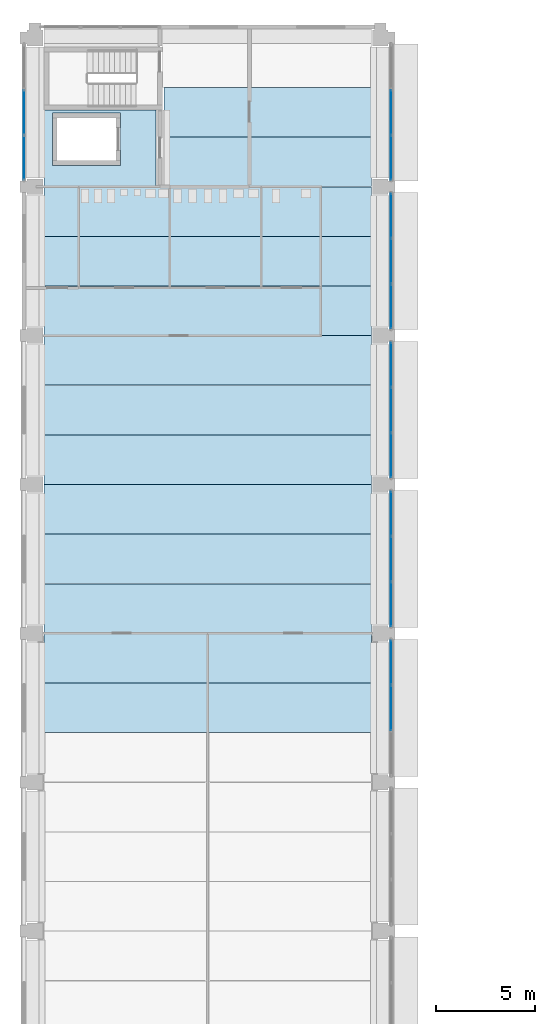
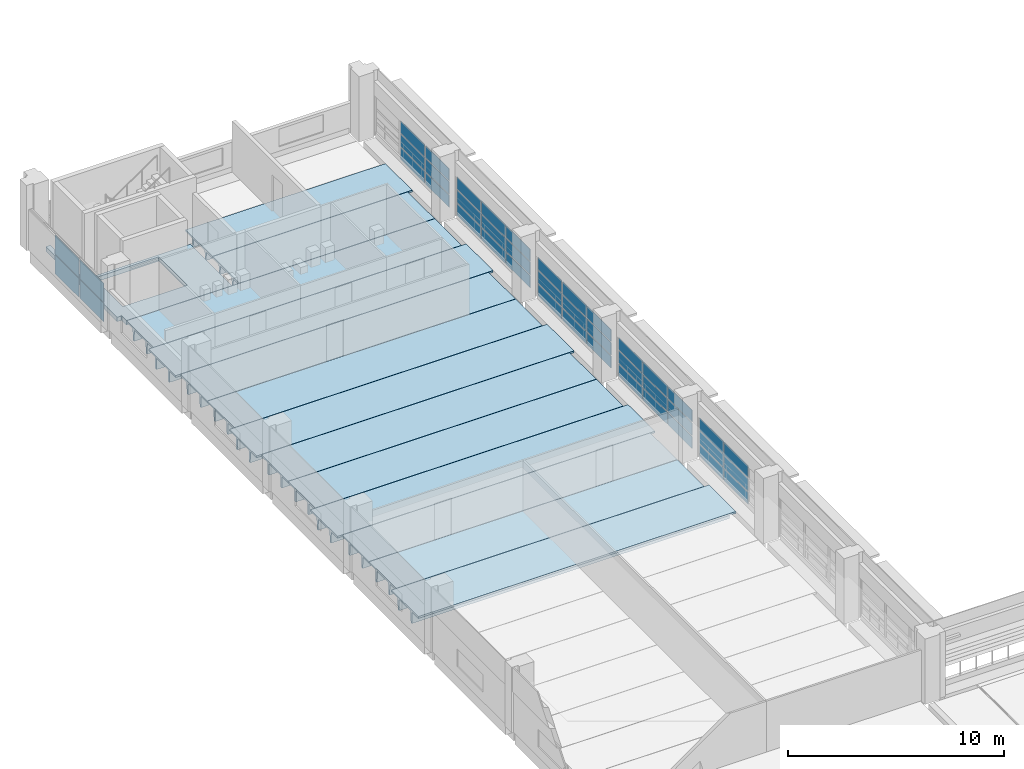
# One storey, part 28 of 61: 43 plates, 14 slabs, 6 elements without a shape of their own.
"""IFC4 building model written with IfcOpenShell, lengths in metres."""

from ifc_helpers import new_model, si_unit, direction, frame, origin, origin_2d, place, context, subcontext, project, spatial, polyline, rectangle, outline, extrude, material, layer, layer_set, material_profile, profile_set, type_object, element, aggregate, save


model = new_model("IFC4")

# Units and contexts
model_context = context("Model", 3, precision=1e-05, world=origin(), true_north=direction((0.0, 1.0)))
body_context = subcontext(model_context, "Body", "Model", "MODEL_VIEW")
ifc_project = project(units=[si_unit("LENGTHUNIT", "METRE"), si_unit("AREAUNIT", "SQUARE_METRE"), si_unit("VOLUMEUNIT", "CUBIC_METRE"), si_unit("PLANEANGLEUNIT", "RADIAN"), si_unit("MASSUNIT", "GRAM", prefix="KILO")], contexts=[model_context])

# Site, building, storey
site_placement = place(None, origin())
site = spatial("IfcSite", under=ifc_project, at=site_placement, CompositionType="ELEMENT")
building_placement = place(site_placement, origin())
building = spatial("IfcBuilding", under=site, at=building_placement, Name="Cour d'Honneur Mobility Palace", CompositionType="ELEMENT")
storey_placement = place(building_placement, frame((0.0, 0.0, 11.89990234375)))
storey = spatial("IfcBuildingStorey", under=building, at=storey_placement, Name="L03", CompositionType="ELEMENT", Elevation=11.89990234375)

# Slab
ifc_material_1 = material(Name="Concrete C50", Category="concrete")
ifc_layer_1 = layer(ifc_material_1, 0.25)
ifc_layer_set_1 = layer_set([ifc_layer_1], Name="Concrete C50")
slab_type_1 = type_object("IfcSlabType", Name="Cast-in-place Slab 250", PredefinedType="FLOOR", material=ifc_layer_set_1)
slab_1_placement = place(storey_placement, frame((0.0, 0.0, -0.25)))
element("IfcSlab", 1, at=slab_1_placement, inside=storey, type_object=slab_type_1, Name="Cast-in-place slab S1 L03 core", PredefinedType="FLOOR", context=body_context, shape_type="SweptSolid", body=[
    extrude(outline(polyline([(0.199951171875, 107.85009765625), (0.199951171875, 114.449951171875), (0.449951171875, 114.449951171875), (0.449951171875, 111.27490234375), (6.10009765625, 111.27490234375), (6.10009765625, 107.39990234375), (0.449951171875, 107.39990234375), (0.449951171875, 107.85009765625), (0.199951171875, 107.85009765625)]), holes=[polyline([(0.875, 111.125), (0.875, 108.47509765625), (4.324951171875, 108.47509765625), (4.324951171875, 111.125), (0.875, 111.125)])]), origin(), (0.0, 0.0, 1.0), 0.25),
])

# Curtain wall, plates
ifc_material_2 = material(Name="Aluminium and glass", Category="aluminium")
ifc_layer_2 = layer(ifc_material_2, 0.10009765625)
ifc_layer_set_2 = layer_set([ifc_layer_2], Name="Aluminium and glass")
curtain_wall_type = type_object("IfcCurtainWallType", Name="Curtain wall run", PredefinedType="NOTDEFINED", material=ifc_layer_set_2)
curtain_wall_1_placement = place(storey_placement, origin())
curtain_wall_1 = element("IfcCurtainWall", 2, at=curtain_wall_1_placement, inside=storey, type_object=curtain_wall_type, Name="Curtain wall CW-32", PredefinedType="NOTDEFINED")
ifc_material_3 = material(Name="Double glazing", Category="glass")
ifc_layer_3 = layer(ifc_material_3, 0.028076171875)
ifc_layer_set_3 = layer_set([ifc_layer_3], Name="Double glazing")
plate_type = type_object("IfcPlateType", Name="Curtain wall panel", PredefinedType="CURTAIN_PANEL", material=ifc_layer_set_3)
plate_1_placement = place(storey_placement, frame((17.949951171875, 81.14990234375, 0.06005859375), z_axis=(0.0, 0.0, 1.0), x_axis=(0.0, 1.0, 0.0)))
plate_1 = element("IfcPlate", 3, at=plate_1_placement, type_object=plate_type, Name="CW-32 panel 2.1", PredefinedType="CURTAIN_PANEL", context=body_context, shape_type="SweptSolid", body=[
    extrude(rectangle(XDim=2.239990234375, YDim=0.028076171875, at=origin_2d()), origin(), (0.0, 0.0, 1.0), 0.6767578125),
])
plate_2_placement = place(storey_placement, frame((17.949951171875, 81.14990234375, 0.796875), z_axis=(0.0, 0.0, 1.0), x_axis=(0.0, 1.0, 0.0)))
plate_2 = element("IfcPlate", 4, at=plate_2_placement, type_object=plate_type, Name="CW-32 panel 2.2", PredefinedType="CURTAIN_PANEL", context=body_context, shape_type="SweptSolid", body=[
    extrude(rectangle(XDim=2.239990234375, YDim=0.028076171875, at=origin_2d()), origin(), (0.0, 0.0, 1.0), 0.706787109375),
])
plate_3_placement = place(storey_placement, frame((17.949951171875, 81.14990234375, 1.5634765625), z_axis=(0.0, 0.0, 1.0), x_axis=(0.0, 1.0, 0.0)))
plate_3 = element("IfcPlate", 5, at=plate_3_placement, type_object=plate_type, Name="CW-32 panel 2.3", PredefinedType="CURTAIN_PANEL", context=body_context, shape_type="SweptSolid", body=[
    extrude(rectangle(XDim=2.239990234375, YDim=0.028076171875, at=origin_2d()), origin(), (0.0, 0.0, 1.0), 0.6767578125),
])
plate_4_placement = place(storey_placement, frame((17.949951171875, 83.43505859375, 0.06005859375), z_axis=(0.0, 0.0, 1.0), x_axis=(0.0, 1.0, 0.0)))
plate_4 = element("IfcPlate", 6, at=plate_4_placement, type_object=plate_type, Name="CW-32 panel 3.1", PredefinedType="CURTAIN_PANEL", context=body_context, shape_type="SweptSolid", body=[
    extrude(rectangle(XDim=2.2099609375, YDim=0.028076171875, at=origin_2d()), origin(), (0.0, 0.0, 1.0), 0.6767578125),
])
plate_5_placement = place(storey_placement, frame((17.949951171875, 83.43505859375, 0.796875), z_axis=(0.0, 0.0, 1.0), x_axis=(0.0, 1.0, 0.0)))
plate_5 = element("IfcPlate", 7, at=plate_5_placement, type_object=plate_type, Name="CW-32 panel 3.2", PredefinedType="CURTAIN_PANEL", context=body_context, shape_type="SweptSolid", body=[
    extrude(rectangle(XDim=2.2099609375, YDim=0.028076171875, at=origin_2d()), origin(), (0.0, 0.0, 1.0), 0.706787109375),
])
plate_6_placement = place(storey_placement, frame((17.949951171875, 83.43505859375, 1.5634765625), z_axis=(0.0, 0.0, 1.0), x_axis=(0.0, 1.0, 0.0)))
plate_6 = element("IfcPlate", 8, at=plate_6_placement, type_object=plate_type, Name="CW-32 panel 3.3", PredefinedType="CURTAIN_PANEL", context=body_context, shape_type="SweptSolid", body=[
    extrude(rectangle(XDim=2.2099609375, YDim=0.028076171875, at=origin_2d()), origin(), (0.0, 0.0, 1.0), 0.6767578125),
])
aggregate(curtain_wall_1, [plate_1, plate_2, plate_3, plate_4, plate_5, plate_6])

curtain_wall_2_placement = place(storey_placement, origin())
curtain_wall_2 = element("IfcCurtainWall", 9, at=curtain_wall_2_placement, inside=storey, type_object=curtain_wall_type, Name="Curtain wall CW-33", PredefinedType="NOTDEFINED")
plate_7_placement = place(storey_placement, frame((17.949951171875, 86.364990234375, 0.06005859375), z_axis=(0.0, 0.0, 1.0), x_axis=(0.0, 1.0, 0.0)))
plate_7 = element("IfcPlate", 10, at=plate_7_placement, type_object=plate_type, Name="CW-33 panel 1.1", PredefinedType="CURTAIN_PANEL", context=body_context, shape_type="SweptSolid", body=[
    extrude(rectangle(XDim=2.2099609375, YDim=0.028076171875, at=origin_2d()), origin(), (0.0, 0.0, 1.0), 0.6767578125),
])
plate_8_placement = place(storey_placement, frame((17.949951171875, 86.364990234375, 0.796875), z_axis=(0.0, 0.0, 1.0), x_axis=(0.0, 1.0, 0.0)))
plate_8 = element("IfcPlate", 11, at=plate_8_placement, type_object=plate_type, Name="CW-33 panel 1.2", PredefinedType="CURTAIN_PANEL", context=body_context, shape_type="SweptSolid", body=[
    extrude(rectangle(XDim=2.2099609375, YDim=0.028076171875, at=origin_2d()), origin(), (0.0, 0.0, 1.0), 0.706787109375),
])
plate_9_placement = place(storey_placement, frame((17.949951171875, 86.364990234375, 1.5634765625), z_axis=(0.0, 0.0, 1.0), x_axis=(0.0, 1.0, 0.0)))
plate_9 = element("IfcPlate", 12, at=plate_9_placement, type_object=plate_type, Name="CW-33 panel 1.3", PredefinedType="CURTAIN_PANEL", context=body_context, shape_type="SweptSolid", body=[
    extrude(rectangle(XDim=2.2099609375, YDim=0.028076171875, at=origin_2d()), origin(), (0.0, 0.0, 1.0), 0.6767578125),
])
plate_10_placement = place(storey_placement, frame((17.949951171875, 88.64990234375, 0.06005859375), z_axis=(0.0, 0.0, 1.0), x_axis=(0.0, 1.0, 0.0)))
plate_10 = element("IfcPlate", 13, at=plate_10_placement, type_object=plate_type, Name="CW-33 panel 2.1", PredefinedType="CURTAIN_PANEL", context=body_context, shape_type="SweptSolid", body=[
    extrude(rectangle(XDim=2.239990234375, YDim=0.028076171875, at=origin_2d()), origin(), (0.0, 0.0, 1.0), 0.6767578125),
])
plate_11_placement = place(storey_placement, frame((17.949951171875, 88.64990234375, 0.796875), z_axis=(0.0, 0.0, 1.0), x_axis=(0.0, 1.0, 0.0)))
plate_11 = element("IfcPlate", 14, at=plate_11_placement, type_object=plate_type, Name="CW-33 panel 2.2", PredefinedType="CURTAIN_PANEL", context=body_context, shape_type="SweptSolid", body=[
    extrude(rectangle(XDim=2.239990234375, YDim=0.028076171875, at=origin_2d()), origin(), (0.0, 0.0, 1.0), 0.706787109375),
])
plate_12_placement = place(storey_placement, frame((17.949951171875, 88.64990234375, 1.5634765625), z_axis=(0.0, 0.0, 1.0), x_axis=(0.0, 1.0, 0.0)))
plate_12 = element("IfcPlate", 15, at=plate_12_placement, type_object=plate_type, Name="CW-33 panel 2.3", PredefinedType="CURTAIN_PANEL", context=body_context, shape_type="SweptSolid", body=[
    extrude(rectangle(XDim=2.239990234375, YDim=0.028076171875, at=origin_2d()), origin(), (0.0, 0.0, 1.0), 0.6767578125),
])
plate_13_placement = place(storey_placement, frame((17.949951171875, 90.93505859375, 0.06005859375), z_axis=(0.0, 0.0, 1.0), x_axis=(0.0, 1.0, 0.0)))
plate_13 = element("IfcPlate", 16, at=plate_13_placement, type_object=plate_type, Name="CW-33 panel 3.1", PredefinedType="CURTAIN_PANEL", context=body_context, shape_type="SweptSolid", body=[
    extrude(rectangle(XDim=2.2099609375, YDim=0.028076171875, at=origin_2d()), origin(), (0.0, 0.0, 1.0), 0.6767578125),
])
plate_14_placement = place(storey_placement, frame((17.949951171875, 90.93505859375, 0.796875), z_axis=(0.0, 0.0, 1.0), x_axis=(0.0, 1.0, 0.0)))
plate_14 = element("IfcPlate", 17, at=plate_14_placement, type_object=plate_type, Name="CW-33 panel 3.2", PredefinedType="CURTAIN_PANEL", context=body_context, shape_type="SweptSolid", body=[
    extrude(rectangle(XDim=2.2099609375, YDim=0.028076171875, at=origin_2d()), origin(), (0.0, 0.0, 1.0), 0.706787109375),
])
plate_15_placement = place(storey_placement, frame((17.949951171875, 90.93505859375, 1.5634765625), z_axis=(0.0, 0.0, 1.0), x_axis=(0.0, 1.0, 0.0)))
plate_15 = element("IfcPlate", 18, at=plate_15_placement, type_object=plate_type, Name="CW-33 panel 3.3", PredefinedType="CURTAIN_PANEL", context=body_context, shape_type="SweptSolid", body=[
    extrude(rectangle(XDim=2.2099609375, YDim=0.028076171875, at=origin_2d()), origin(), (0.0, 0.0, 1.0), 0.6767578125),
])
aggregate(curtain_wall_2, [plate_7, plate_8, plate_9, plate_10, plate_11, plate_12, plate_13, plate_14, plate_15])

curtain_wall_3_placement = place(storey_placement, origin())
curtain_wall_3 = element("IfcCurtainWall", 19, at=curtain_wall_3_placement, inside=storey, type_object=curtain_wall_type, Name="Curtain wall CW-34", PredefinedType="NOTDEFINED")
plate_16_placement = place(storey_placement, frame((17.949951171875, 93.864990234375, 0.06005859375), z_axis=(0.0, 0.0, 1.0), x_axis=(0.0, 1.0, 0.0)))
plate_16 = element("IfcPlate", 20, at=plate_16_placement, type_object=plate_type, Name="CW-34 panel 1.1", PredefinedType="CURTAIN_PANEL", context=body_context, shape_type="SweptSolid", body=[
    extrude(rectangle(XDim=2.2099609375, YDim=0.028076171875, at=origin_2d()), origin(), (0.0, 0.0, 1.0), 0.6767578125),
])
plate_17_placement = place(storey_placement, frame((17.949951171875, 93.864990234375, 0.796875), z_axis=(0.0, 0.0, 1.0), x_axis=(0.0, 1.0, 0.0)))
plate_17 = element("IfcPlate", 21, at=plate_17_placement, type_object=plate_type, Name="CW-34 panel 1.2", PredefinedType="CURTAIN_PANEL", context=body_context, shape_type="SweptSolid", body=[
    extrude(rectangle(XDim=2.2099609375, YDim=0.028076171875, at=origin_2d()), origin(), (0.0, 0.0, 1.0), 0.706787109375),
])
plate_18_placement = place(storey_placement, frame((17.949951171875, 93.864990234375, 1.5634765625), z_axis=(0.0, 0.0, 1.0), x_axis=(0.0, 1.0, 0.0)))
plate_18 = element("IfcPlate", 22, at=plate_18_placement, type_object=plate_type, Name="CW-34 panel 1.3", PredefinedType="CURTAIN_PANEL", context=body_context, shape_type="SweptSolid", body=[
    extrude(rectangle(XDim=2.2099609375, YDim=0.028076171875, at=origin_2d()), origin(), (0.0, 0.0, 1.0), 0.6767578125),
])
plate_19_placement = place(storey_placement, frame((17.949951171875, 96.14990234375, 0.06005859375), z_axis=(0.0, 0.0, 1.0), x_axis=(0.0, 1.0, 0.0)))
plate_19 = element("IfcPlate", 23, at=plate_19_placement, type_object=plate_type, Name="CW-34 panel 2.1", PredefinedType="CURTAIN_PANEL", context=body_context, shape_type="SweptSolid", body=[
    extrude(rectangle(XDim=2.239990234375, YDim=0.028076171875, at=origin_2d()), origin(), (0.0, 0.0, 1.0), 0.6767578125),
])
plate_20_placement = place(storey_placement, frame((17.949951171875, 96.14990234375, 0.796875), z_axis=(0.0, 0.0, 1.0), x_axis=(0.0, 1.0, 0.0)))
plate_20 = element("IfcPlate", 24, at=plate_20_placement, type_object=plate_type, Name="CW-34 panel 2.2", PredefinedType="CURTAIN_PANEL", context=body_context, shape_type="SweptSolid", body=[
    extrude(rectangle(XDim=2.239990234375, YDim=0.028076171875, at=origin_2d()), origin(), (0.0, 0.0, 1.0), 0.706787109375),
])
plate_21_placement = place(storey_placement, frame((17.949951171875, 96.14990234375, 1.5634765625), z_axis=(0.0, 0.0, 1.0), x_axis=(0.0, 1.0, 0.0)))
plate_21 = element("IfcPlate", 25, at=plate_21_placement, type_object=plate_type, Name="CW-34 panel 2.3", PredefinedType="CURTAIN_PANEL", context=body_context, shape_type="SweptSolid", body=[
    extrude(rectangle(XDim=2.239990234375, YDim=0.028076171875, at=origin_2d()), origin(), (0.0, 0.0, 1.0), 0.6767578125),
])
plate_22_placement = place(storey_placement, frame((17.949951171875, 98.43505859375, 0.06005859375), z_axis=(0.0, 0.0, 1.0), x_axis=(0.0, 1.0, 0.0)))
plate_22 = element("IfcPlate", 26, at=plate_22_placement, type_object=plate_type, Name="CW-34 panel 3.1", PredefinedType="CURTAIN_PANEL", context=body_context, shape_type="SweptSolid", body=[
    extrude(rectangle(XDim=2.2099609375, YDim=0.028076171875, at=origin_2d()), origin(), (0.0, 0.0, 1.0), 0.6767578125),
])
plate_23_placement = place(storey_placement, frame((17.949951171875, 98.43505859375, 0.796875), z_axis=(0.0, 0.0, 1.0), x_axis=(0.0, 1.0, 0.0)))
plate_23 = element("IfcPlate", 27, at=plate_23_placement, type_object=plate_type, Name="CW-34 panel 3.2", PredefinedType="CURTAIN_PANEL", context=body_context, shape_type="SweptSolid", body=[
    extrude(rectangle(XDim=2.2099609375, YDim=0.028076171875, at=origin_2d()), origin(), (0.0, 0.0, 1.0), 0.706787109375),
])
plate_24_placement = place(storey_placement, frame((17.949951171875, 98.43505859375, 1.5634765625), z_axis=(0.0, 0.0, 1.0), x_axis=(0.0, 1.0, 0.0)))
plate_24 = element("IfcPlate", 28, at=plate_24_placement, type_object=plate_type, Name="CW-34 panel 3.3", PredefinedType="CURTAIN_PANEL", context=body_context, shape_type="SweptSolid", body=[
    extrude(rectangle(XDim=2.2099609375, YDim=0.028076171875, at=origin_2d()), origin(), (0.0, 0.0, 1.0), 0.6767578125),
])
aggregate(curtain_wall_3, [plate_16, plate_17, plate_18, plate_19, plate_20, plate_21, plate_22, plate_23, plate_24])

curtain_wall_4_placement = place(storey_placement, origin())
curtain_wall_4 = element("IfcCurtainWall", 29, at=curtain_wall_4_placement, inside=storey, type_object=curtain_wall_type, Name="Curtain wall CW-35", PredefinedType="NOTDEFINED")
plate_25_placement = place(storey_placement, frame((17.949951171875, 101.364990234375, 0.06005859375), z_axis=(0.0, 0.0, 1.0), x_axis=(0.0, 1.0, 0.0)))
plate_25 = element("IfcPlate", 30, at=plate_25_placement, type_object=plate_type, Name="CW-35 panel 1.1", PredefinedType="CURTAIN_PANEL", context=body_context, shape_type="SweptSolid", body=[
    extrude(rectangle(XDim=2.2099609375, YDim=0.028076171875, at=origin_2d()), origin(), (0.0, 0.0, 1.0), 0.6767578125),
])
plate_26_placement = place(storey_placement, frame((17.949951171875, 101.364990234375, 0.796875), z_axis=(0.0, 0.0, 1.0), x_axis=(0.0, 1.0, 0.0)))
plate_26 = element("IfcPlate", 31, at=plate_26_placement, type_object=plate_type, Name="CW-35 panel 1.2", PredefinedType="CURTAIN_PANEL", context=body_context, shape_type="SweptSolid", body=[
    extrude(rectangle(XDim=2.2099609375, YDim=0.028076171875, at=origin_2d()), origin(), (0.0, 0.0, 1.0), 0.706787109375),
])
plate_27_placement = place(storey_placement, frame((17.949951171875, 101.364990234375, 1.5634765625), z_axis=(0.0, 0.0, 1.0), x_axis=(0.0, 1.0, 0.0)))
plate_27 = element("IfcPlate", 32, at=plate_27_placement, type_object=plate_type, Name="CW-35 panel 1.3", PredefinedType="CURTAIN_PANEL", context=body_context, shape_type="SweptSolid", body=[
    extrude(rectangle(XDim=2.2099609375, YDim=0.028076171875, at=origin_2d()), origin(), (0.0, 0.0, 1.0), 0.6767578125),
])
plate_28_placement = place(storey_placement, frame((17.949951171875, 103.64990234375, 0.06005859375), z_axis=(0.0, 0.0, 1.0), x_axis=(0.0, 1.0, 0.0)))
plate_28 = element("IfcPlate", 33, at=plate_28_placement, type_object=plate_type, Name="CW-35 panel 2.1", PredefinedType="CURTAIN_PANEL", context=body_context, shape_type="SweptSolid", body=[
    extrude(rectangle(XDim=2.239990234375, YDim=0.028076171875, at=origin_2d()), origin(), (0.0, 0.0, 1.0), 0.6767578125),
])
plate_29_placement = place(storey_placement, frame((17.949951171875, 103.64990234375, 0.796875), z_axis=(0.0, 0.0, 1.0), x_axis=(0.0, 1.0, 0.0)))
plate_29 = element("IfcPlate", 34, at=plate_29_placement, type_object=plate_type, Name="CW-35 panel 2.2", PredefinedType="CURTAIN_PANEL", context=body_context, shape_type="SweptSolid", body=[
    extrude(rectangle(XDim=2.239990234375, YDim=0.028076171875, at=origin_2d()), origin(), (0.0, 0.0, 1.0), 0.706787109375),
])
plate_30_placement = place(storey_placement, frame((17.949951171875, 103.64990234375, 1.5634765625), z_axis=(0.0, 0.0, 1.0), x_axis=(0.0, 1.0, 0.0)))
plate_30 = element("IfcPlate", 35, at=plate_30_placement, type_object=plate_type, Name="CW-35 panel 2.3", PredefinedType="CURTAIN_PANEL", context=body_context, shape_type="SweptSolid", body=[
    extrude(rectangle(XDim=2.239990234375, YDim=0.028076171875, at=origin_2d()), origin(), (0.0, 0.0, 1.0), 0.6767578125),
])
plate_31_placement = place(storey_placement, frame((17.949951171875, 105.93505859375, 0.06005859375), z_axis=(0.0, 0.0, 1.0), x_axis=(0.0, 1.0, 0.0)))
plate_31 = element("IfcPlate", 36, at=plate_31_placement, type_object=plate_type, Name="CW-35 panel 3.1", PredefinedType="CURTAIN_PANEL", context=body_context, shape_type="SweptSolid", body=[
    extrude(rectangle(XDim=2.2099609375, YDim=0.028076171875, at=origin_2d()), origin(), (0.0, 0.0, 1.0), 0.6767578125),
])
plate_32_placement = place(storey_placement, frame((17.949951171875, 105.93505859375, 0.796875), z_axis=(0.0, 0.0, 1.0), x_axis=(0.0, 1.0, 0.0)))
plate_32 = element("IfcPlate", 37, at=plate_32_placement, type_object=plate_type, Name="CW-35 panel 3.2", PredefinedType="CURTAIN_PANEL", context=body_context, shape_type="SweptSolid", body=[
    extrude(rectangle(XDim=2.2099609375, YDim=0.028076171875, at=origin_2d()), origin(), (0.0, 0.0, 1.0), 0.706787109375),
])
plate_33_placement = place(storey_placement, frame((17.949951171875, 105.93505859375, 1.5634765625), z_axis=(0.0, 0.0, 1.0), x_axis=(0.0, 1.0, 0.0)))
plate_33 = element("IfcPlate", 38, at=plate_33_placement, type_object=plate_type, Name="CW-35 panel 3.3", PredefinedType="CURTAIN_PANEL", context=body_context, shape_type="SweptSolid", body=[
    extrude(rectangle(XDim=2.2099609375, YDim=0.028076171875, at=origin_2d()), origin(), (0.0, 0.0, 1.0), 0.6767578125),
])
aggregate(curtain_wall_4, [plate_25, plate_26, plate_27, plate_28, plate_29, plate_30, plate_31, plate_32, plate_33])

curtain_wall_5_placement = place(storey_placement, origin())
curtain_wall_5 = element("IfcCurtainWall", 39, at=curtain_wall_5_placement, inside=storey, type_object=curtain_wall_type, Name="Curtain wall CW-36", PredefinedType="NOTDEFINED")
plate_34_placement = place(storey_placement, frame((17.949951171875, 108.864990234375, 0.06005859375), z_axis=(0.0, 0.0, 1.0), x_axis=(0.0, 1.0, 0.0)))
plate_34 = element("IfcPlate", 40, at=plate_34_placement, type_object=plate_type, Name="CW-36 panel 1.1", PredefinedType="CURTAIN_PANEL", context=body_context, shape_type="SweptSolid", body=[
    extrude(rectangle(XDim=2.2099609375, YDim=0.028076171875, at=origin_2d()), origin(), (0.0, 0.0, 1.0), 0.6767578125),
])
plate_35_placement = place(storey_placement, frame((17.949951171875, 108.864990234375, 0.796875), z_axis=(0.0, 0.0, 1.0), x_axis=(0.0, 1.0, 0.0)))
plate_35 = element("IfcPlate", 41, at=plate_35_placement, type_object=plate_type, Name="CW-36 panel 1.2", PredefinedType="CURTAIN_PANEL", context=body_context, shape_type="SweptSolid", body=[
    extrude(rectangle(XDim=2.2099609375, YDim=0.028076171875, at=origin_2d()), origin(), (0.0, 0.0, 1.0), 0.706787109375),
])
plate_36_placement = place(storey_placement, frame((17.949951171875, 108.864990234375, 1.5634765625), z_axis=(0.0, 0.0, 1.0), x_axis=(0.0, 1.0, 0.0)))
plate_36 = element("IfcPlate", 42, at=plate_36_placement, type_object=plate_type, Name="CW-36 panel 1.3", PredefinedType="CURTAIN_PANEL", context=body_context, shape_type="SweptSolid", body=[
    extrude(rectangle(XDim=2.2099609375, YDim=0.028076171875, at=origin_2d()), origin(), (0.0, 0.0, 1.0), 0.6767578125),
])
plate_37_placement = place(storey_placement, frame((17.949951171875, 111.14990234375, 0.06005859375), z_axis=(0.0, 0.0, 1.0), x_axis=(0.0, 1.0, 0.0)))
plate_37 = element("IfcPlate", 43, at=plate_37_placement, type_object=plate_type, Name="CW-36 panel 2.1", PredefinedType="CURTAIN_PANEL", context=body_context, shape_type="SweptSolid", body=[
    extrude(rectangle(XDim=2.239990234375, YDim=0.028076171875, at=origin_2d()), origin(), (0.0, 0.0, 1.0), 0.6767578125),
])
plate_38_placement = place(storey_placement, frame((17.949951171875, 111.14990234375, 0.796875), z_axis=(0.0, 0.0, 1.0), x_axis=(0.0, 1.0, 0.0)))
plate_38 = element("IfcPlate", 44, at=plate_38_placement, type_object=plate_type, Name="CW-36 panel 2.2", PredefinedType="CURTAIN_PANEL", context=body_context, shape_type="SweptSolid", body=[
    extrude(rectangle(XDim=2.239990234375, YDim=0.028076171875, at=origin_2d()), origin(), (0.0, 0.0, 1.0), 0.706787109375),
])
plate_39_placement = place(storey_placement, frame((17.949951171875, 111.14990234375, 1.5634765625), z_axis=(0.0, 0.0, 1.0), x_axis=(0.0, 1.0, 0.0)))
plate_39 = element("IfcPlate", 45, at=plate_39_placement, type_object=plate_type, Name="CW-36 panel 2.3", PredefinedType="CURTAIN_PANEL", context=body_context, shape_type="SweptSolid", body=[
    extrude(rectangle(XDim=2.239990234375, YDim=0.028076171875, at=origin_2d()), origin(), (0.0, 0.0, 1.0), 0.6767578125),
])
aggregate(curtain_wall_5, [plate_34, plate_35, plate_36, plate_37, plate_38, plate_39])

curtain_wall_6_placement = place(storey_placement, origin())
curtain_wall_6 = element("IfcCurtainWall", 46, at=curtain_wall_6_placement, inside=storey, type_object=curtain_wall_type, Name="Curtain wall CW-129", PredefinedType="NOTDEFINED")
plate_40_placement = place(storey_placement, frame((-0.550048828125, 111.14990234375, 0.06005859375), z_axis=(0.0, 0.0, 1.0), x_axis=(0.0, -1.0, 0.0)))
plate_40 = element("IfcPlate", 47, at=plate_40_placement, type_object=plate_type, Name="CW-129 panel 2.1", PredefinedType="CURTAIN_PANEL", context=body_context, shape_type="SweptSolid", body=[
    extrude(rectangle(XDim=2.239990234375, YDim=0.028076171875, at=origin_2d()), origin(), (0.0, 0.0, 1.0), 1.06005859375),
])
plate_41_placement = place(storey_placement, frame((-0.550048828125, 111.14990234375, 1.18017578125), z_axis=(0.0, 0.0, 1.0), x_axis=(0.0, -1.0, 0.0)))
plate_41 = element("IfcPlate", 48, at=plate_41_placement, type_object=plate_type, Name="CW-129 panel 2.2", PredefinedType="CURTAIN_PANEL", context=body_context, shape_type="SweptSolid", body=[
    extrude(rectangle(XDim=2.239990234375, YDim=0.028076171875, at=origin_2d()), origin(), (0.0, 0.0, 1.0), 1.06005859375),
])
plate_42_placement = place(storey_placement, frame((-0.550048828125, 108.864990234375, 0.06005859375), z_axis=(0.0, 0.0, 1.0), x_axis=(0.0, -1.0, 0.0)))
plate_42 = element("IfcPlate", 49, at=plate_42_placement, type_object=plate_type, Name="CW-129 panel 3.1", PredefinedType="CURTAIN_PANEL", context=body_context, shape_type="SweptSolid", body=[
    extrude(rectangle(XDim=2.2099609375, YDim=0.028076171875, at=origin_2d()), origin(), (0.0, 0.0, 1.0), 1.06005859375),
])
plate_43_placement = place(storey_placement, frame((-0.550048828125, 108.864990234375, 1.18017578125), z_axis=(0.0, 0.0, 1.0), x_axis=(0.0, -1.0, 0.0)))
plate_43 = element("IfcPlate", 50, at=plate_43_placement, type_object=plate_type, Name="CW-129 panel 3.2", PredefinedType="CURTAIN_PANEL", context=body_context, shape_type="SweptSolid", body=[
    extrude(rectangle(XDim=2.2099609375, YDim=0.028076171875, at=origin_2d()), origin(), (0.0, 0.0, 1.0), 1.06005859375),
])
aggregate(curtain_wall_6, [plate_40, plate_41, plate_42, plate_43])

# Slabs
ifc_material_4 = material(Name="Concrete C45", Category="concrete")
ifc_material_profile_1 = material_profile(ifc_material_4, outline(polyline([(-1.2451171875, 0.0), (1.2451171875, 0.0), (1.2451171875, -0.10009765625), (0.679931640625, -0.10009765625), (0.64990234375, -0.60009765625), (0.550048828125, -0.60009765625), (0.52001953125, -0.10009765625), (-0.52001953125, -0.10009765625), (-0.550048828125, -0.60009765625), (-0.64990234375, -0.60009765625), (-0.679931640625, -0.10009765625), (-1.2451171875, -0.10009765625), (-1.2451171875, 0.0)])), Name="DT 2490x600")
ifc_profile_set_1 = profile_set([ifc_material_profile_1], Name="Concrete C45")
slab_type_2 = type_object("IfcSlabType", Name="DT 2490x600", PredefinedType="FLOOR", material=ifc_profile_set_1)
slab_2_placement = place(storey_placement, frame((6.5, 108.64990234375, 0.0), z_axis=(1.0, 0.0, 0.0), x_axis=(0.0, 1.0, 0.0)))
element("IfcSlab", 51, at=slab_2_placement, inside=storey, type_object=slab_type_2, Name="Double tee DT-NW19 L03", PredefinedType="FLOOR", context=body_context, shape_type="SweptSolid", body=[
    extrude(outline(polyline([(-1.2451171875, 0.0), (1.2451171875, 0.0), (1.2451171875, -0.10009765625), (0.679931640625, -0.10009765625), (0.64990234375, -0.60009765625), (0.550048828125, -0.60009765625), (0.52001953125, -0.10009765625), (-0.52001953125, -0.10009765625), (-0.550048828125, -0.60009765625), (-0.64990234375, -0.60009765625), (-0.679931640625, -0.10009765625), (-1.2451171875, -0.10009765625), (-1.2451171875, 0.0)])), origin(), (0.0, 0.0, 1.0), 10.449951171875),
])
slab_3_placement = place(storey_placement, frame((6.5, 111.14990234375, 0.0), z_axis=(1.0, 0.0, 0.0), x_axis=(0.0, 1.0, 0.0)))
element("IfcSlab", 52, at=slab_3_placement, inside=storey, type_object=slab_type_2, Name="Double tee DT-NW20 L03", PredefinedType="FLOOR", context=body_context, shape_type="SweptSolid", body=[
    extrude(outline(polyline([(-1.2451171875, 0.0), (1.2451171875, 0.0), (1.2451171875, -0.10009765625), (0.679931640625, -0.10009765625), (0.64990234375, -0.60009765625), (0.550048828125, -0.60009765625), (0.52001953125, -0.10009765625), (-0.52001953125, -0.10009765625), (-0.550048828125, -0.60009765625), (-0.64990234375, -0.60009765625), (-0.679931640625, -0.10009765625), (-1.2451171875, -0.10009765625), (-1.2451171875, 0.0)])), origin(), (0.0, 0.0, 1.0), 10.699951171875),
])
ifc_material_5 = material(Name="Concrete C45", Category="concrete")
ifc_material_profile_2 = material_profile(ifc_material_5, outline(polyline([(-1.2451171875, 0.0), (1.2451171875, 0.0), (1.2451171875, -0.10009765625), (0.679931640625, -0.10009765625), (0.64990234375, -0.75), (0.550048828125, -0.75), (0.52001953125, -0.10009765625), (-0.52001953125, -0.10009765625), (-0.550048828125, -0.75), (-0.64990234375, -0.75), (-0.679931640625, -0.10009765625), (-1.2451171875, -0.10009765625), (-1.2451171875, 0.0)])), Name="DT 2490x750")
ifc_profile_set_2 = profile_set([ifc_material_profile_2], Name="Concrete C45")
slab_type_3 = type_object("IfcSlabType", Name="DT 2490x750", PredefinedType="FLOOR", material=ifc_profile_set_2)
slab_4_placement = place(storey_placement, frame((0.199951171875, 81.14990234375, 0.0), z_axis=(1.0, 0.0, 0.0), x_axis=(0.0, 1.0, 0.0)))
element("IfcSlab", 53, at=slab_4_placement, inside=storey, type_object=slab_type_3, Name="Double tee DT-NW8 L03", PredefinedType="FLOOR", context=body_context, shape_type="SweptSolid", body=[
    extrude(outline(polyline([(-1.2451171875, 0.0), (1.2451171875, 0.0), (1.2451171875, -0.10009765625), (0.679931640625, -0.10009765625), (0.64990234375, -0.75), (0.550048828125, -0.75), (0.52001953125, -0.10009765625), (-0.52001953125, -0.10009765625), (-0.550048828125, -0.75), (-0.64990234375, -0.75), (-0.679931640625, -0.10009765625), (-1.2451171875, -0.10009765625), (-1.2451171875, 0.0)])), origin(), (0.0, 0.0, 1.0), 17.0),
])
for number, where, z_axis, x_axis, name in (
    (54, (0.449951171875, 83.64990234375, 0.0), (1.0, 0.0, 0.0), (0.0, 1.0, 0.0), "Double tee DT-NW9 L03"),
    (55, (0.449951171875, 86.14990234375, 0.0), (1.0, 0.0, 0.0), (0.0, 1.0, 0.0), "Double tee DT-NW10 L03"),
):
    element("IfcSlab", number, at=place(storey_placement, frame(where, z_axis=z_axis, x_axis=x_axis)), inside=storey, type_object=slab_type_3, Name=name, PredefinedType="FLOOR", context=body_context, shape_type="SweptSolid", body=[
        extrude(outline(polyline([(-1.2451171875, 0.0), (1.2451171875, 0.0), (1.2451171875, -0.10009765625), (0.679931640625, -0.10009765625), (0.64990234375, -0.75), (0.550048828125, -0.75), (0.52001953125, -0.10009765625), (-0.52001953125, -0.10009765625), (-0.550048828125, -0.75), (-0.64990234375, -0.75), (-0.679931640625, -0.10009765625), (-1.2451171875, -0.10009765625), (-1.2451171875, 0.0)])), origin(), (0.0, 0.0, 1.0), 16.5),
    ])
slab_5_placement = place(storey_placement, frame((0.199951171875, 88.64990234375, 0.0), z_axis=(1.0, 0.0, 0.0), x_axis=(0.0, 1.0, 0.0)))
element("IfcSlab", 56, at=slab_5_placement, inside=storey, type_object=slab_type_3, Name="Double tee DT-NW11 L03", PredefinedType="FLOOR", context=body_context, shape_type="SweptSolid", body=[
    extrude(outline(polyline([(-1.2451171875, 0.0), (1.2451171875, 0.0), (1.2451171875, -0.10009765625), (0.679931640625, -0.10009765625), (0.64990234375, -0.75), (0.550048828125, -0.75), (0.52001953125, -0.10009765625), (-0.52001953125, -0.10009765625), (-0.550048828125, -0.75), (-0.64990234375, -0.75), (-0.679931640625, -0.10009765625), (-1.2451171875, -0.10009765625), (-1.2451171875, 0.0)])), origin(), (0.0, 0.0, 1.0), 17.0),
])
for number, where, z_axis, x_axis, name in (
    (57, (0.449951171875, 91.14990234375, 0.0), (1.0, 0.0, 0.0), (0.0, 1.0, 0.0), "Double tee DT-NW12 L03"),
    (58, (0.449951171875, 93.64990234375, 0.0), (1.0, 0.0, 0.0), (0.0, 1.0, 0.0), "Double tee DT-NW13 L03"),
):
    element("IfcSlab", number, at=place(storey_placement, frame(where, z_axis=z_axis, x_axis=x_axis)), inside=storey, type_object=slab_type_3, Name=name, PredefinedType="FLOOR", context=body_context, shape_type="SweptSolid", body=[
        extrude(outline(polyline([(-1.2451171875, 0.0), (1.2451171875, 0.0), (1.2451171875, -0.10009765625), (0.679931640625, -0.10009765625), (0.64990234375, -0.75), (0.550048828125, -0.75), (0.52001953125, -0.10009765625), (-0.52001953125, -0.10009765625), (-0.550048828125, -0.75), (-0.64990234375, -0.75), (-0.679931640625, -0.10009765625), (-1.2451171875, -0.10009765625), (-1.2451171875, 0.0)])), origin(), (0.0, 0.0, 1.0), 16.5),
    ])
slab_6_placement = place(storey_placement, frame((0.199951171875, 96.14990234375, 0.0), z_axis=(1.0, 0.0, 0.0), x_axis=(0.0, 1.0, 0.0)))
element("IfcSlab", 59, at=slab_6_placement, inside=storey, type_object=slab_type_3, Name="Double tee DT-NW14 L03", PredefinedType="FLOOR", context=body_context, shape_type="SweptSolid", body=[
    extrude(outline(polyline([(-1.2451171875, 0.0), (1.2451171875, 0.0), (1.2451171875, -0.10009765625), (0.679931640625, -0.10009765625), (0.64990234375, -0.75), (0.550048828125, -0.75), (0.52001953125, -0.10009765625), (-0.52001953125, -0.10009765625), (-0.550048828125, -0.75), (-0.64990234375, -0.75), (-0.679931640625, -0.10009765625), (-1.2451171875, -0.10009765625), (-1.2451171875, 0.0)])), origin(), (0.0, 0.0, 1.0), 17.0),
])
for number, where, z_axis, x_axis, name in (
    (60, (0.449951171875, 98.64990234375, 0.0), (1.0, 0.0, 0.0), (0.0, 1.0, 0.0), "Double tee DT-NW15 L03"),
    (61, (0.449951171875, 101.14990234375, 0.0), (1.0, 0.0, 0.0), (0.0, 1.0, 0.0), "Double tee DT-NW16 L03"),
):
    element("IfcSlab", number, at=place(storey_placement, frame(where, z_axis=z_axis, x_axis=x_axis)), inside=storey, type_object=slab_type_3, Name=name, PredefinedType="FLOOR", context=body_context, shape_type="SweptSolid", body=[
        extrude(outline(polyline([(-1.2451171875, 0.0), (1.2451171875, 0.0), (1.2451171875, -0.10009765625), (0.679931640625, -0.10009765625), (0.64990234375, -0.75), (0.550048828125, -0.75), (0.52001953125, -0.10009765625), (-0.52001953125, -0.10009765625), (-0.550048828125, -0.75), (-0.64990234375, -0.75), (-0.679931640625, -0.10009765625), (-1.2451171875, -0.10009765625), (-1.2451171875, 0.0)])), origin(), (0.0, 0.0, 1.0), 16.5),
    ])
slab_7_placement = place(storey_placement, frame((0.199951171875, 103.64990234375, 0.0), z_axis=(1.0, 0.0, 0.0), x_axis=(0.0, 1.0, 0.0)))
element("IfcSlab", 62, at=slab_7_placement, inside=storey, type_object=slab_type_3, Name="Double tee DT-NW17 L03", PredefinedType="FLOOR", context=body_context, shape_type="SweptSolid", body=[
    extrude(outline(polyline([(-1.2451171875, 0.0), (1.2451171875, 0.0), (1.2451171875, -0.10009765625), (0.679931640625, -0.10009765625), (0.64990234375, -0.75), (0.550048828125, -0.75), (0.52001953125, -0.10009765625), (-0.52001953125, -0.10009765625), (-0.550048828125, -0.75), (-0.64990234375, -0.75), (-0.679931640625, -0.10009765625), (-1.2451171875, -0.10009765625), (-1.2451171875, 0.0)])), origin(), (0.0, 0.0, 1.0), 17.0),
])
slab_8_placement = place(storey_placement, frame((0.449951171875, 106.14990234375, 0.0), z_axis=(1.0, 0.0, 0.0), x_axis=(0.0, 1.0, 0.0)))
element("IfcSlab", 63, at=slab_8_placement, inside=storey, type_object=slab_type_3, Name="Double tee DT-NW18 L03", PredefinedType="FLOOR", context=body_context, shape_type="SweptSolid", body=[
    extrude(outline(polyline([(-1.2451171875, 0.0), (1.2451171875, 0.0), (1.2451171875, -0.10009765625), (0.679931640625, -0.10009765625), (0.64990234375, -0.75), (0.550048828125, -0.75), (0.52001953125, -0.10009765625), (-0.52001953125, -0.10009765625), (-0.550048828125, -0.75), (-0.64990234375, -0.75), (-0.679931640625, -0.10009765625), (-1.2451171875, -0.10009765625), (-1.2451171875, 0.0)])), origin(), (0.0, 0.0, 1.0), 16.5),
])

save(model, "model.ifc")
